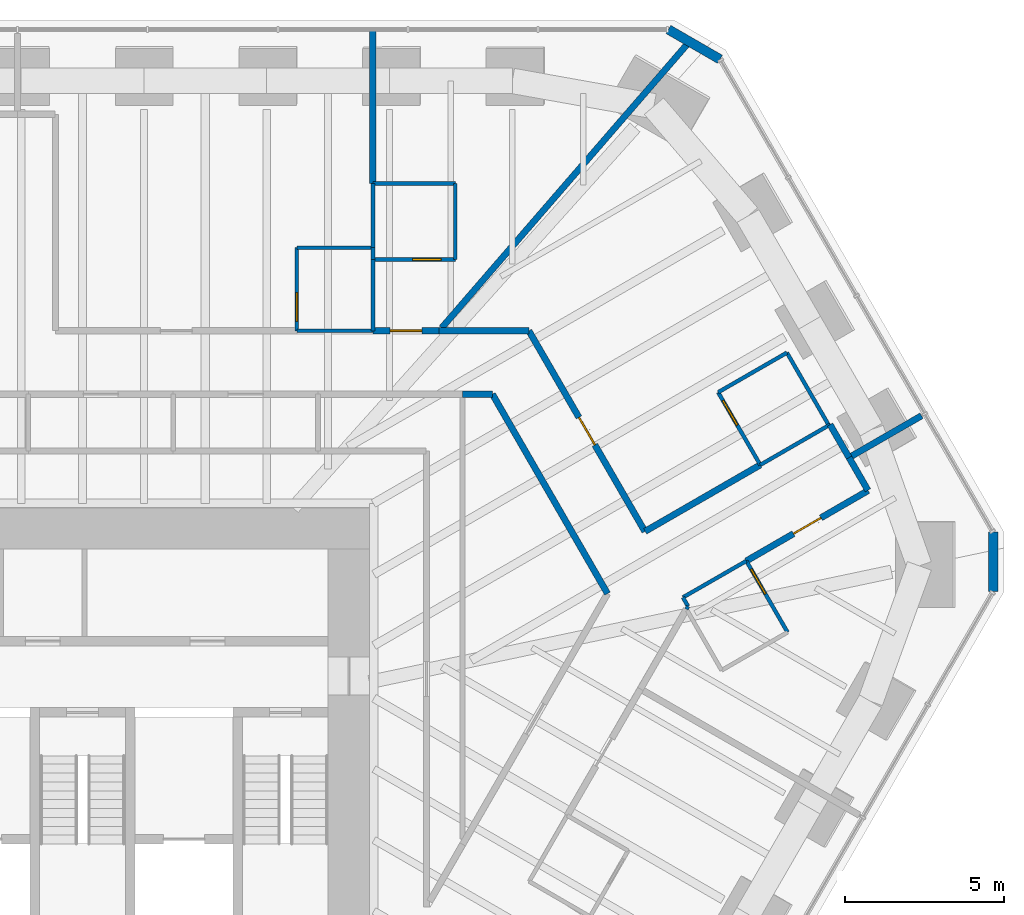
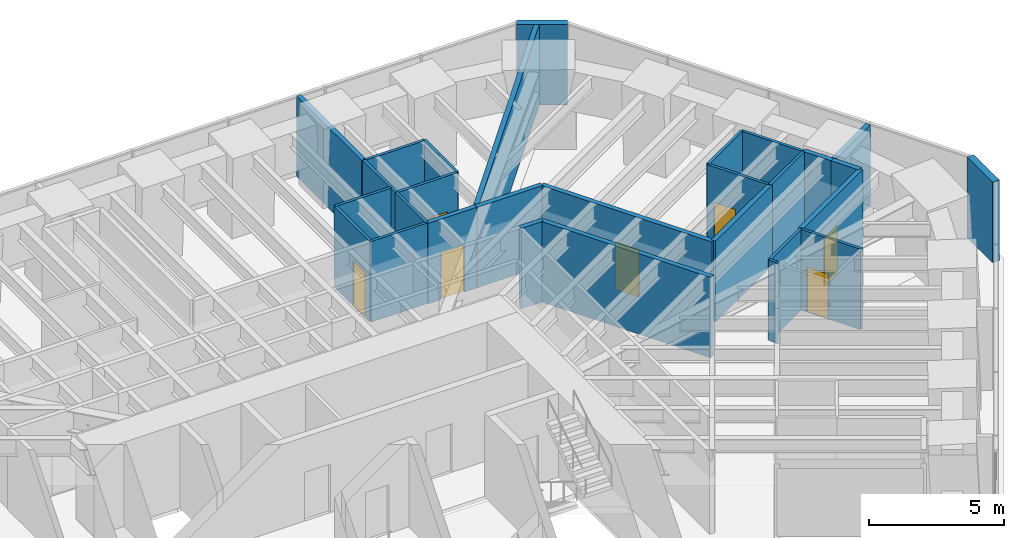
# One storey, part 16 of 18: 31 walls, 7 doors, 7 openings.
"""IFC4 building model written with IfcOpenShell, lengths in metres."""

from ifc_helpers import new_model, si_unit, direction, frame, frame_2d, origin, place, context, subcontext, project, spatial, rectangle, extrude, material, layer, layer_set, type_object, element, fill, save


model = new_model("IFC4")

# Units and contexts
model_context = context("Model", 3, precision=1e-05, world=origin(), true_north=direction((0.0, 1.0)))
body_context = subcontext(model_context, "Body", "Model", "MODEL_VIEW")
ifc_project = project(units=[si_unit("LENGTHUNIT", "METRE"), si_unit("AREAUNIT", "SQUARE_METRE"), si_unit("VOLUMEUNIT", "CUBIC_METRE"), si_unit("PLANEANGLEUNIT", "RADIAN"), si_unit("MASSUNIT", "GRAM", prefix="KILO")], contexts=[model_context])

# Site, building, storey
site_placement = place(None, origin())
site = spatial("IfcSite", under=ifc_project, at=site_placement, CompositionType="ELEMENT")
building_placement = place(site_placement, origin())
building = spatial("IfcBuilding", under=site, at=building_placement, Name="Sandreach Pilgrim Tower", CompositionType="ELEMENT")
storey_placement = place(building_placement, frame((0.0, 0.0, 153.800048828125)))
storey = spatial("IfcBuildingStorey", under=building, at=storey_placement, Name="L38", CompositionType="ELEMENT", Elevation=153.800048828125)

# Wall, opening, door
ifc_material_1 = material(Name="Moisture-resistant gypsum board on steel studs", Category="steel")
ifc_layer_1 = layer(ifc_material_1, 0.1201171875)
ifc_layer_set_1 = layer_set([ifc_layer_1], Name="Bathroom partition 120")
wall_type_1 = type_object("IfcWallType", Name="Bathroom partition 120", PredefinedType="PARTITIONING", material=ifc_layer_set_1)
wall_1_placement = place(storey_placement, frame((6.760009765625, 15.610107421875, 0.0), z_axis=(0.0, 0.0, 1.0), x_axis=(0.0, -1.0, 0.0)))
wall_1 = element("IfcWall", 1, at=wall_1_placement, inside=storey, type_object=wall_type_1, Name="Bathroom partition L38-095", PredefinedType="PARTITIONING", context=body_context, shape_type="SweptSolid", body=[
    extrude(rectangle(XDim=2.6201171875, YDim=0.1201171875, at=frame_2d((1.31005859375, 0.0))), origin(), (0.0, 0.0, 1.0), 3.639892578125),
])
opening_1_placement = place(wall_1_placement, frame((1.419921875, 0.0, 0.0)))
opening_1 = element("IfcOpeningElement", 2, at=opening_1_placement, cuts=wall_1, Name="Opening D09-03B", PredefinedType="OPENING", context=body_context, shape_type="SweptSolid", body=[
    extrude(rectangle(XDim=0.89990234375, YDim=2.030029296875, at=frame_2d((0.449951171875, 1.01513671875))), frame((0.0, 0.06005859375, 0.0), z_axis=(0.0, -1.0, 0.0), x_axis=(1.0, 0.0, 0.0)), (0.0, 0.0, 1.0), 0.1201171875),
])
ifc_material_2 = material(Name="Timber door, steel frame", Category="steel")
door_type_1 = type_object("IfcDoorType", Name="Bathroom door", OperationType="SINGLE_SWING_LEFT", PredefinedType="DOOR", material=ifc_material_2)
door_1_placement = place(opening_1_placement, origin())
door_1 = element("IfcDoor", 3, at=door_1_placement, inside=storey, type_object=door_type_1, Name="Door 3803B", OperationType="SINGLE_SWING_RIGHT", OverallHeight=2.030029296875, OverallWidth=0.89990234375, PredefinedType="DOOR", context=body_context, shape_type="SweptSolid", body=[
    extrude(rectangle(XDim=0.89990234375, YDim=2.030029296875, at=frame_2d((0.449951171875, 1.01513671875))), frame((0.0, 0.02490234375, 0.0), z_axis=(0.0, -1.0, 0.0), x_axis=(1.0, 0.0, 0.0)), (0.0, 0.0, 1.0), 0.050048828125),
])
fill(opening_1, door_1)

# Walls
wall_2_placement = place(storey_placement, frame((9.159912109375, 12.989990234375, 0.0), z_axis=(0.0, 0.0, 1.0), x_axis=(-1.0, 0.0, 0.0)))
element("IfcWall", 4, at=wall_2_placement, inside=storey, type_object=wall_type_1, Name="Bathroom partition L38-108", PredefinedType="PARTITIONING", context=body_context, shape_type="SweptSolid", body=[
    extrude(rectangle(XDim=2.39990234375, YDim=0.1201171875, at=frame_2d((1.199951171875, 0.0))), origin(), (0.0, 0.0, 1.0), 3.639892578125),
])
wall_3_placement = place(storey_placement, frame((9.159912109375, 15.239990234375, 0.0), z_axis=(0.0, 0.0, 1.0), x_axis=(0.0, -1.0, 0.0)))
element("IfcWall", 5, at=wall_3_placement, inside=storey, type_object=wall_type_1, Name="Bathroom partition L38-109", PredefinedType="PARTITIONING", context=body_context, shape_type="SweptSolid", body=[
    extrude(rectangle(XDim=2.25, YDim=0.1201171875, at=frame_2d((1.125, 0.0))), origin(), (0.0, 0.0, 1.0), 3.639892578125),
])

# Wall, opening, door
wall_4_placement = place(storey_placement, frame((9.159912109375, 15.239990234375, 0.0), z_axis=(0.0, 0.0, 1.0), x_axis=(1.0, 0.0, 0.0)))
wall_4 = element("IfcWall", 6, at=wall_4_placement, inside=storey, type_object=wall_type_1, Name="Bathroom partition L38-110", PredefinedType="PARTITIONING", context=body_context, shape_type="SweptSolid", body=[
    extrude(rectangle(XDim=2.60009765625, YDim=0.1201171875, at=frame_2d((1.300048828125, 0.0))), origin(), (0.0, 0.0, 1.0), 3.639892578125),
])
opening_2_placement = place(wall_4_placement, frame((1.25, 0.0, 0.0)))
opening_2 = element("IfcOpeningElement", 7, at=opening_2_placement, cuts=wall_4, Name="Opening D09-04B", PredefinedType="OPENING", context=body_context, shape_type="SweptSolid", body=[
    extrude(rectangle(XDim=0.89990234375, YDim=2.030029296875, at=frame_2d((0.449951171875, 1.01513671875))), frame((0.0, 0.06005859375, 0.0), z_axis=(0.0, -1.0, 0.0), x_axis=(1.0, 0.0, 0.0)), (0.0, 0.0, 1.0), 0.1201171875),
])
door_2_placement = place(opening_2_placement, origin())
door_2 = element("IfcDoor", 8, at=door_2_placement, inside=storey, type_object=door_type_1, Name="Door 3804B", OperationType="SINGLE_SWING_RIGHT", OverallHeight=2.030029296875, OverallWidth=0.89990234375, PredefinedType="DOOR", context=body_context, shape_type="SweptSolid", body=[
    extrude(rectangle(XDim=0.89990234375, YDim=2.030029296875, at=frame_2d((0.449951171875, 1.01513671875))), frame((0.0, 0.02490234375, 0.0), z_axis=(0.0, -1.0, 0.0), x_axis=(1.0, 0.0, 0.0)), (0.0, 0.0, 1.0), 0.050048828125),
])
fill(opening_2, door_2)

# Walls
wall_5_placement = place(storey_placement, frame((9.159912109375, 15.610107421875, 0.0), z_axis=(0.0, 0.0, 1.0), x_axis=(-1.0, 0.0, 0.0)))
element("IfcWall", 9, at=wall_5_placement, inside=storey, type_object=wall_type_1, Name="Bathroom partition L38-111", PredefinedType="PARTITIONING", context=body_context, shape_type="SweptSolid", body=[
    extrude(rectangle(XDim=2.39990234375, YDim=0.1201171875, at=frame_2d((1.199951171875, 0.0))), origin(), (0.0, 0.0, 1.0), 3.639892578125),
])
wall_6_placement = place(storey_placement, frame((9.159912109375, 15.610107421875, 0.0), z_axis=(0.0, 0.0, 1.0), x_axis=(0.0, -1.0, 0.0)))
element("IfcWall", 10, at=wall_6_placement, inside=storey, type_object=wall_type_1, Name="Bathroom partition L38-112", PredefinedType="PARTITIONING", context=body_context, shape_type="SweptSolid", body=[
    extrude(rectangle(XDim=0.3701171875, YDim=0.1201171875, at=frame_2d((0.18505859375, 0.0))), origin(), (0.0, 0.0, 1.0), 3.639892578125),
])
wall_7_placement = place(storey_placement, frame((9.159912109375, 17.639892578125, 0.0), z_axis=(0.0, 0.0, 1.0), x_axis=(0.0, -1.0, 0.0)))
element("IfcWall", 11, at=wall_7_placement, inside=storey, type_object=wall_type_1, Name="Bathroom partition L38-113", PredefinedType="PARTITIONING", context=body_context, shape_type="SweptSolid", body=[
    extrude(rectangle(XDim=2.02978515625, YDim=0.1201171875, at=frame_2d((1.014892578125, 0.0))), origin(), (0.0, 0.0, 1.0), 3.639892578125),
])
wall_8_placement = place(storey_placement, frame((11.760009765625, 15.239990234375, 0.0), z_axis=(0.0, 0.0, 1.0), x_axis=(0.0, 1.0, 0.0)))
element("IfcWall", 12, at=wall_8_placement, inside=storey, type_object=wall_type_1, Name="Bathroom partition L38-124", PredefinedType="PARTITIONING", context=body_context, shape_type="SweptSolid", body=[
    extrude(rectangle(XDim=2.39990234375, YDim=0.1201171875, at=frame_2d((1.199951171875, 0.0))), origin(), (0.0, 0.0, 1.0), 3.639892578125),
])
wall_9_placement = place(storey_placement, frame((11.760009765625, 17.639892578125, 0.0), z_axis=(0.0, 0.0, 1.0), x_axis=(-1.0, 0.0, 0.0)))
element("IfcWall", 13, at=wall_9_placement, inside=storey, type_object=wall_type_1, Name="Bathroom partition L38-125", PredefinedType="PARTITIONING", context=body_context, shape_type="SweptSolid", body=[
    extrude(rectangle(XDim=2.60009765625, YDim=0.1201171875, at=frame_2d((1.300048828125, 0.0))), origin(), (0.0, 0.0, 1.0), 3.639892578125),
])
wall_10_placement = place(storey_placement, frame((18.93994140625, 4.580078125, 0.0), z_axis=(0.0, 0.0, 1.0), x_axis=(0.866924594573, 0.498439311577, 0.0)))
element("IfcWall", 14, at=wall_10_placement, inside=storey, type_object=wall_type_1, Name="Bathroom partition L38-144", PredefinedType="PARTITIONING", context=body_context, shape_type="SweptSolid", body=[
    extrude(rectangle(XDim=2.306884765625, YDim=0.1201171875, at=frame_2d((1.1533203125, 0.0))), origin(), (0.0, 0.0, 1.0), 3.639892578125),
])
wall_11_placement = place(storey_placement, frame((19.050048828125, 4.2099609375, 0.0), z_axis=(0.0, 0.0, 1.0), x_axis=(0.485642931179, 0.874157276122, 0.0)))
element("IfcWall", 15, at=wall_11_placement, inside=storey, type_object=wall_type_1, Name="Bathroom partition L38-145", PredefinedType="PARTITIONING", context=body_context, shape_type="SweptSolid", body=[
    extrude(rectangle(XDim=0.10302734375, YDim=0.1201171875, at=frame_2d((0.051513671875, 0.0))), origin(), (0.0, 0.0, 1.0), 3.639892578125),
])
wall_12_placement = place(storey_placement, frame((19.10009765625, 4.300048828125, 0.0), z_axis=(0.0, 0.0, 1.0), x_axis=(-0.496464912237, 0.868056790146, 0.0)))
element("IfcWall", 16, at=wall_12_placement, inside=storey, type_object=wall_type_1, Name="Bathroom partition L38-147", PredefinedType="PARTITIONING", context=body_context, shape_type="SweptSolid", body=[
    extrude(rectangle(XDim=0.322509765625, YDim=0.1201171875, at=frame_2d((0.1611328125, 0.0))), origin(), (0.0, 0.0, 1.0), 3.639892578125),
])

# Wall, opening, door
wall_13_placement = place(storey_placement, frame((20.050048828125, 11.050048828125, 0.0), z_axis=(0.0, 0.0, 1.0), x_axis=(0.502173326652, -0.864766991738, 0.0)))
wall_13 = element("IfcWall", 17, at=wall_13_placement, inside=storey, type_object=wall_type_1, Name="Bathroom partition L38-149", PredefinedType="PARTITIONING", context=body_context, shape_type="SweptSolid", body=[
    extrude(rectangle(XDim=2.648193359375, YDim=0.1201171875, at=frame_2d((1.32421875, 0.0))), origin(), (0.0, 0.0, 1.0), 3.639892578125),
])
opening_3_placement = place(wall_13_placement, frame((0.300048828125, 0.0, 0.0)))
opening_3 = element("IfcOpeningElement", 18, at=opening_3_placement, cuts=wall_13, Name="Opening D09-05B", PredefinedType="OPENING", context=body_context, shape_type="SweptSolid", body=[
    extrude(rectangle(XDim=0.89990234375, YDim=2.030029296875, at=frame_2d((0.449951171875, 1.01513671875))), frame((0.0, 0.06005859375, 0.0), z_axis=(0.0, -1.0, 0.0), x_axis=(1.0, 0.0, 0.0)), (0.0, 0.0, 1.0), 0.1201171875),
])
door_3_placement = place(opening_3_placement, origin())
door_3 = element("IfcDoor", 19, at=door_3_placement, inside=storey, type_object=door_type_1, Name="Door 3805B", OperationType="SINGLE_SWING_LEFT", OverallHeight=2.030029296875, OverallWidth=0.89990234375, PredefinedType="DOOR", context=body_context, shape_type="SweptSolid", body=[
    extrude(rectangle(XDim=0.89990234375, YDim=2.030029296875, at=frame_2d((0.449951171875, 1.01513671875))), frame((0.0, 0.02490234375, 0.0), z_axis=(0.0, -1.0, 0.0), x_axis=(1.0, 0.0, 0.0)), (0.0, 0.0, 1.0), 0.050048828125),
])
fill(opening_3, door_3)

# Walls
wall_14_placement = place(storey_placement, frame((21.3798828125, 8.760009765625, 0.0), z_axis=(0.0, 0.0, 1.0), x_axis=(0.866070368743, 0.499922110319, 0.0)))
element("IfcWall", 20, at=wall_14_placement, inside=storey, type_object=wall_type_1, Name="Bathroom partition L38-153", PredefinedType="PARTITIONING", context=body_context, shape_type="SweptSolid", body=[
    extrude(rectangle(XDim=2.54052734375, YDim=0.1201171875, at=frame_2d((1.270263671875, 0.0))), origin(), (0.0, 0.0, 1.0), 3.639892578125),
])
wall_15_placement = place(storey_placement, frame((22.219970703125, 12.300048828125, 0.0), z_axis=(0.0, 0.0, 1.0), x_axis=(-0.866510016372, -0.499159685399, 0.0)))
element("IfcWall", 21, at=wall_15_placement, inside=storey, type_object=wall_type_1, Name="Bathroom partition L38-154", PredefinedType="PARTITIONING", context=body_context, shape_type="SweptSolid", body=[
    extrude(rectangle(XDim=2.504150390625, YDim=0.1201171875, at=frame_2d((1.251953125, 0.0))), origin(), (0.0, 0.0, 1.0), 3.639892578125),
])

# Wall, opening, door
wall_16_placement = place(storey_placement, frame((22.239990234375, 3.47998046875, 0.0), z_axis=(0.0, 0.0, 1.0), x_axis=(-0.500291685314, 0.865856933682, 0.0)))
wall_16 = element("IfcWall", 22, at=wall_16_placement, inside=storey, type_object=wall_type_1, Name="Bathroom partition L38-155", PredefinedType="PARTITIONING", context=body_context, shape_type="SweptSolid", body=[
    extrude(rectangle(XDim=2.5986328125, YDim=0.1201171875, at=frame_2d((1.29931640625, 0.0))), origin(), (0.0, 0.0, 1.0), 3.639892578125),
])
opening_4_placement = place(wall_16_placement, frame((1.398681640625, 0.0, 0.0)))
opening_4 = element("IfcOpeningElement", 23, at=opening_4_placement, cuts=wall_16, Name="Opening D09-06B", PredefinedType="OPENING", context=body_context, shape_type="SweptSolid", body=[
    extrude(rectangle(XDim=0.89990234375, YDim=2.030029296875, at=frame_2d((0.449951171875, 1.01513671875))), frame((0.0, 0.06005859375, 0.0), z_axis=(0.0, -1.0, 0.0), x_axis=(1.0, 0.0, 0.0)), (0.0, 0.0, 1.0), 0.1201171875),
])
door_4_placement = place(opening_4_placement, origin())
door_4 = element("IfcDoor", 24, at=door_4_placement, inside=storey, type_object=door_type_1, Name="Door 3806B", OperationType="SINGLE_SWING_RIGHT", OverallHeight=2.030029296875, OverallWidth=0.89990234375, PredefinedType="DOOR", context=body_context, shape_type="SweptSolid", body=[
    extrude(rectangle(XDim=0.89990234375, YDim=2.030029296875, at=frame_2d((0.449951171875, 1.01513671875))), frame((0.0, 0.02490234375, 0.0), z_axis=(0.0, -1.0, 0.0), x_axis=(1.0, 0.0, 0.0)), (0.0, 0.0, 1.0), 0.050048828125),
])
fill(opening_4, door_4)

# Wall
wall_17_placement = place(storey_placement, frame((23.5400390625, 10.010009765625, 0.0), z_axis=(0.0, 0.0, 1.0), x_axis=(-0.499407914056, 0.866366975004, 0.0)))
element("IfcWall", 25, at=wall_17_placement, inside=storey, type_object=wall_type_1, Name="Bathroom partition L38-156", PredefinedType="PARTITIONING", context=body_context, shape_type="SweptSolid", body=[
    extrude(rectangle(XDim=2.643310546875, YDim=0.1201171875, at=frame_2d((1.32177734375, 0.0))), origin(), (0.0, 0.0, 1.0), 3.639892578125),
])

# Wall, opening, door
ifc_material_3 = material(Name="Gypsum board on steel studs, two layers each side", Category="steel")
ifc_layer_2 = layer(ifc_material_3, 0.199951171875)
ifc_layer_set_2 = layer_set([ifc_layer_2], Name="Corridor wall 200")
wall_type_2 = type_object("IfcWallType", Name="Corridor wall 200", PredefinedType="PARTITIONING", material=ifc_layer_set_2)
wall_18_placement = place(storey_placement, frame((11.25, 12.989990234375, 0.0), z_axis=(0.0, 0.0, 1.0), x_axis=(-1.0, 0.0, 0.0)))
wall_18 = element("IfcWall", 26, at=wall_18_placement, inside=storey, type_object=wall_type_2, Name="Corridor wall L38-122", PredefinedType="PARTITIONING", context=body_context, shape_type="SweptSolid", body=[
    extrude(rectangle(XDim=2.090087890625, YDim=0.199951171875, at=frame_2d((1.044921875, 0.0))), origin(), (0.0, 0.0, 1.0), 3.639892578125),
])
opening_5_placement = place(wall_18_placement, frame((0.544921875, 0.0, 0.0)))
opening_5 = element("IfcOpeningElement", 27, at=opening_5_placement, cuts=wall_18, Name="Opening D10-04", PredefinedType="OPENING", context=body_context, shape_type="SweptSolid", body=[
    extrude(rectangle(XDim=1.0, YDim=2.1298828125, at=frame_2d((0.5, 1.06494140625))), frame((0.0, 0.10009765625, 0.0), z_axis=(0.0, -1.0, 0.0), x_axis=(1.0, 0.0, 0.0)), (0.0, 0.0, 1.0), 0.199951171875),
])
ifc_material_4 = material(Name="Steel door and frame", Category="steel")
door_type_2 = type_object("IfcDoorType", Name="Guest room entry door", OperationType="SINGLE_SWING_LEFT", PredefinedType="DOOR", material=ifc_material_4)
door_5_placement = place(opening_5_placement, origin())
door_5 = element("IfcDoor", 28, at=door_5_placement, inside=storey, type_object=door_type_2, Name="Door 3804", OperationType="SINGLE_SWING_LEFT", OverallHeight=2.1298828125, OverallWidth=1.0, PredefinedType="DOOR", context=body_context, shape_type="SweptSolid", body=[
    extrude(rectangle(XDim=1.0, YDim=2.1298828125, at=frame_2d((0.5, 1.06494140625))), frame((0.0, 0.02490234375, 0.0), z_axis=(0.0, -1.0, 0.0), x_axis=(1.0, 0.0, 0.0)), (0.0, 0.0, 1.0), 0.050048828125),
])
fill(opening_5, door_5)

# Walls
wall_19_placement = place(storey_placement, frame((11.989990234375, 10.989990234375, 0.0), z_axis=(0.0, 0.0, 1.0), x_axis=(1.0, 0.0, 0.0)))
element("IfcWall", 29, at=wall_19_placement, inside=storey, type_object=wall_type_2, Name="Corridor wall L38-128", PredefinedType="PARTITIONING", context=body_context, shape_type="SweptSolid", body=[
    extrude(rectangle(XDim=0.93994140625, YDim=0.199951171875, at=frame_2d((0.469970703125, 0.0))), origin(), (0.0, 0.0, 1.0), 3.639892578125),
])
wall_20_placement = place(storey_placement, frame((12.929931640625, 10.989990234375, 0.0), z_axis=(0.0, 0.0, 1.0), x_axis=(0.4998524389, -0.866110581465, 0.0)))
element("IfcWall", 30, at=wall_20_placement, inside=storey, type_object=wall_type_2, Name="Corridor wall L38-130", PredefinedType="PARTITIONING", context=body_context, shape_type="SweptSolid", body=[
    extrude(rectangle(XDim=7.262451171875, YDim=0.199951171875, at=frame_2d((3.63134765625, 0.0))), origin(), (0.0, 0.0, 1.0), 3.639892578125),
])
wall_21_placement = place(storey_placement, frame((14.080078125, 12.989990234375, 0.0), z_axis=(0.0, 0.0, 1.0), x_axis=(-1.0, 0.0, 0.0)))
element("IfcWall", 31, at=wall_21_placement, inside=storey, type_object=wall_type_2, Name="Corridor wall L38-131", PredefinedType="PARTITIONING", context=body_context, shape_type="SweptSolid", body=[
    extrude(rectangle(XDim=2.830078125, YDim=0.199951171875, at=frame_2d((1.4150390625, 0.0))), origin(), (0.0, 0.0, 1.0), 3.639892578125),
])

# Wall, opening, door
wall_22_placement = place(storey_placement, frame((17.739990234375, 6.659912109375, 0.0), z_axis=(0.0, 0.0, 1.0), x_axis=(-0.500537358343, 0.865714937438, 0.0)))
wall_22 = element("IfcWall", 32, at=wall_22_placement, inside=storey, type_object=wall_type_2, Name="Corridor wall L38-141", PredefinedType="PARTITIONING", context=body_context, shape_type="SweptSolid", body=[
    extrude(rectangle(XDim=7.31201171875, YDim=0.199951171875, at=frame_2d((3.656005859375, 0.0))), origin(), (0.0, 0.0, 1.0), 3.639892578125),
])
opening_6_placement = place(wall_22_placement, frame((3.156005859375, 0.0, 0.0)))
opening_6 = element("IfcOpeningElement", 33, at=opening_6_placement, cuts=wall_22, Name="Opening D10-05", PredefinedType="OPENING", context=body_context, shape_type="SweptSolid", body=[
    extrude(rectangle(XDim=1.0, YDim=2.1298828125, at=frame_2d((0.5, 1.06494140625))), frame((0.0, 0.10009765625, 0.0), z_axis=(0.0, -1.0, 0.0), x_axis=(1.0, 0.0, 0.0)), (0.0, 0.0, 1.0), 0.199951171875),
])
door_6_placement = place(opening_6_placement, origin())
door_6 = element("IfcDoor", 34, at=door_6_placement, inside=storey, type_object=door_type_2, Name="Door 3805", OperationType="SINGLE_SWING_LEFT", OverallHeight=2.1298828125, OverallWidth=1.0, PredefinedType="DOOR", context=body_context, shape_type="SweptSolid", body=[
    extrude(rectangle(XDim=1.0, YDim=2.1298828125, at=frame_2d((0.5, 1.06494140625))), frame((0.0, 0.02490234375, 0.0), z_axis=(0.0, -1.0, 0.0), x_axis=(1.0, 0.0, 0.0)), (0.0, 0.0, 1.0), 0.050048828125),
])
fill(opening_6, door_6)

# Wall
wall_23_placement = place(storey_placement, frame((17.748779296875, 6.6650390625, 0.0), z_axis=(0.0, 0.0, 1.0), x_axis=(0.866174920721, 0.499740939602, 0.0)))
element("IfcWall", 35, at=wall_23_placement, inside=storey, type_object=wall_type_2, Name="Corridor wall L38-142", PredefinedType="PARTITIONING", context=body_context, shape_type="SweptSolid", body=[
    extrude(rectangle(XDim=4.192138671875, YDim=0.199951171875, at=frame_2d((2.09619140625, 0.0))), origin(), (0.0, 0.0, 1.0), 3.639892578125),
])

# Wall, opening, door
wall_24_placement = place(storey_placement, frame((20.93994140625, 5.72998046875, 0.0), z_axis=(0.0, 0.0, 1.0), x_axis=(0.865742656625, 0.500489412975, 0.0)))
wall_24 = element("IfcWall", 36, at=wall_24_placement, inside=storey, type_object=wall_type_2, Name="Corridor wall L38-152", PredefinedType="PARTITIONING", context=body_context, shape_type="SweptSolid", body=[
    extrude(rectangle(XDim=4.435546875, YDim=0.199951171875, at=frame_2d((2.2177734375, 0.0))), origin(), (0.0, 0.0, 1.0), 3.639892578125),
])
opening_7_placement = place(wall_24_placement, frame((1.7177734375, 0.0, 0.0)))
opening_7 = element("IfcOpeningElement", 37, at=opening_7_placement, cuts=wall_24, Name="Opening D10-06", PredefinedType="OPENING", context=body_context, shape_type="SweptSolid", body=[
    extrude(rectangle(XDim=1.0, YDim=2.1298828125, at=frame_2d((0.5, 1.06494140625))), frame((0.0, 0.10009765625, 0.0), z_axis=(0.0, -1.0, 0.0), x_axis=(1.0, 0.0, 0.0)), (0.0, 0.0, 1.0), 0.199951171875),
])
door_7_placement = place(opening_7_placement, origin())
door_7 = element("IfcDoor", 38, at=door_7_placement, inside=storey, type_object=door_type_2, Name="Door 3806", OperationType="SINGLE_SWING_LEFT", OverallHeight=2.1298828125, OverallWidth=1.0, PredefinedType="DOOR", context=body_context, shape_type="SweptSolid", body=[
    extrude(rectangle(XDim=1.0, YDim=2.1298828125, at=frame_2d((0.5, 1.06494140625))), frame((0.0, 0.02490234375, 0.0), z_axis=(0.0, -1.0, 0.0), x_axis=(1.0, 0.0, 0.0)), (0.0, 0.0, 1.0), 0.050048828125),
])
fill(opening_7, door_7)

# Walls
wall_25_placement = place(storey_placement, frame((23.580078125, 10.030029296875, 0.0), z_axis=(0.0, 0.0, 1.0), x_axis=(0.499616828121, -0.866246515178, 0.0)))
element("IfcWall", 39, at=wall_25_placement, inside=storey, type_object=wall_type_2, Name="Corridor wall L38-157", PredefinedType="PARTITIONING", context=body_context, shape_type="SweptSolid", body=[
    extrude(rectangle(XDim=1.20068359375, YDim=0.199951171875, at=frame_2d((0.600341796875, 0.0))), origin(), (0.0, 0.0, 1.0), 3.639892578125),
])
wall_26_placement = place(storey_placement, frame((24.179931640625, 8.989990234375, 0.0), z_axis=(0.0, 0.0, 1.0), x_axis=(0.499734288277, -0.866178758179, 0.0)))
element("IfcWall", 40, at=wall_26_placement, inside=storey, type_object=wall_type_2, Name="Corridor wall L38-158", PredefinedType="PARTITIONING", context=body_context, shape_type="SweptSolid", body=[
    extrude(rectangle(XDim=1.190673828125, YDim=0.199951171875, at=frame_2d((0.59521484375, 0.0))), origin(), (0.0, 0.0, 1.0), 3.639892578125),
])
ifc_material_5 = material(Name="Double steel stud acoustic wall, gypsum board", Category="steel")
ifc_layer_3 = layer(ifc_material_5, 0.199951171875)
ifc_layer_set_3 = layer_set([ifc_layer_3], Name="Party wall 200")
wall_type_3 = type_object("IfcWallType", Name="Party wall 200", PredefinedType="PARTITIONING", material=ifc_layer_set_3)
wall_27_placement = place(storey_placement, frame((9.159912109375, 22.4599609375, 0.0), z_axis=(0.0, 0.0, 1.0), x_axis=(0.0, -1.0, 0.0)))
element("IfcWall", 41, at=wall_27_placement, inside=storey, type_object=wall_type_3, Name="Party wall L38-114", PredefinedType="PARTITIONING", context=body_context, shape_type="SweptSolid", body=[
    extrude(rectangle(XDim=4.820068359375, YDim=0.199951171875, at=frame_2d((2.41015625, 0.0))), origin(), (0.0, 0.0, 1.0), 3.639892578125),
])
wall_28_placement = place(storey_placement, frame((19.160400390625, 22.127197265625, 0.0), z_axis=(0.0, 0.0, 1.0), x_axis=(-0.654528846076, -0.756037029288, 0.0)))
element("IfcWall", 42, at=wall_28_placement, inside=storey, type_object=wall_type_3, Name="Party wall L38-148", PredefinedType="PARTITIONING", context=body_context, shape_type="SweptSolid", body=[
    extrude(rectangle(XDim=11.965576171875, YDim=0.199951171875, at=frame_2d((5.98291015625, 0.0))), origin(), (0.0, 0.0, 1.0), 3.639892578125),
])
wall_29_placement = place(storey_placement, frame((26.466064453125, 10.31005859375, 0.0), z_axis=(0.0, 0.0, 1.0), x_axis=(-0.866013657776, -0.500020344131, 0.0)))
element("IfcWall", 43, at=wall_29_placement, inside=storey, type_object=wall_type_3, Name="Party wall L38-160", PredefinedType="PARTITIONING", context=body_context, shape_type="SweptSolid", body=[
    extrude(rectangle(XDim=2.625, YDim=0.199951171875, at=frame_2d((1.3125, 0.0))), origin(), (0.0, 0.0, 1.0), 3.639892578125),
])
ifc_material_6 = material(Name="Terracotta rainscreen on concrete", Category="masonry")
ifc_layer_4 = layer(ifc_material_6, 0.300048828125)
ifc_layer_set_4 = layer_set([ifc_layer_4], Name="Terracotta chamfer pier")
wall_type_4 = type_object("IfcWallType", Name="Terracotta chamfer pier", PredefinedType="SOLIDWALL", material=ifc_layer_set_4)
wall_30_placement = place(storey_placement, frame((18.4814453125, 22.493896484375, 0.0), z_axis=(0.0, 0.0, 1.0), x_axis=(0.865988793993, -0.500063404658, 0.0)))
element("IfcWall", 44, at=wall_30_placement, inside=storey, type_object=wall_type_4, Name="Chamfer pier L38 N", PredefinedType="SOLIDWALL", context=body_context, shape_type="SweptSolid", body=[
    extrude(rectangle(XDim=1.880126953125, YDim=0.300048828125, at=frame_2d((0.93994140625, 0.0))), origin(), (0.0, 0.0, 1.0), 3.639892578125),
])
wall_31_placement = place(storey_placement, frame((28.720947265625, 6.638427734375, 0.0), z_axis=(0.0, 0.0, 1.0), x_axis=(0.0, -1.0, 0.0)))
element("IfcWall", 45, at=wall_31_placement, inside=storey, type_object=wall_type_4, Name="Chamfer pier L38 NE", PredefinedType="SOLIDWALL", context=body_context, shape_type="SweptSolid", body=[
    extrude(rectangle(XDim=1.8798828125, YDim=0.300048828125, at=frame_2d((0.93994140625, 0.0))), origin(), (0.0, 0.0, 1.0), 3.639892578125),
])

save(model, "model.ifc")
